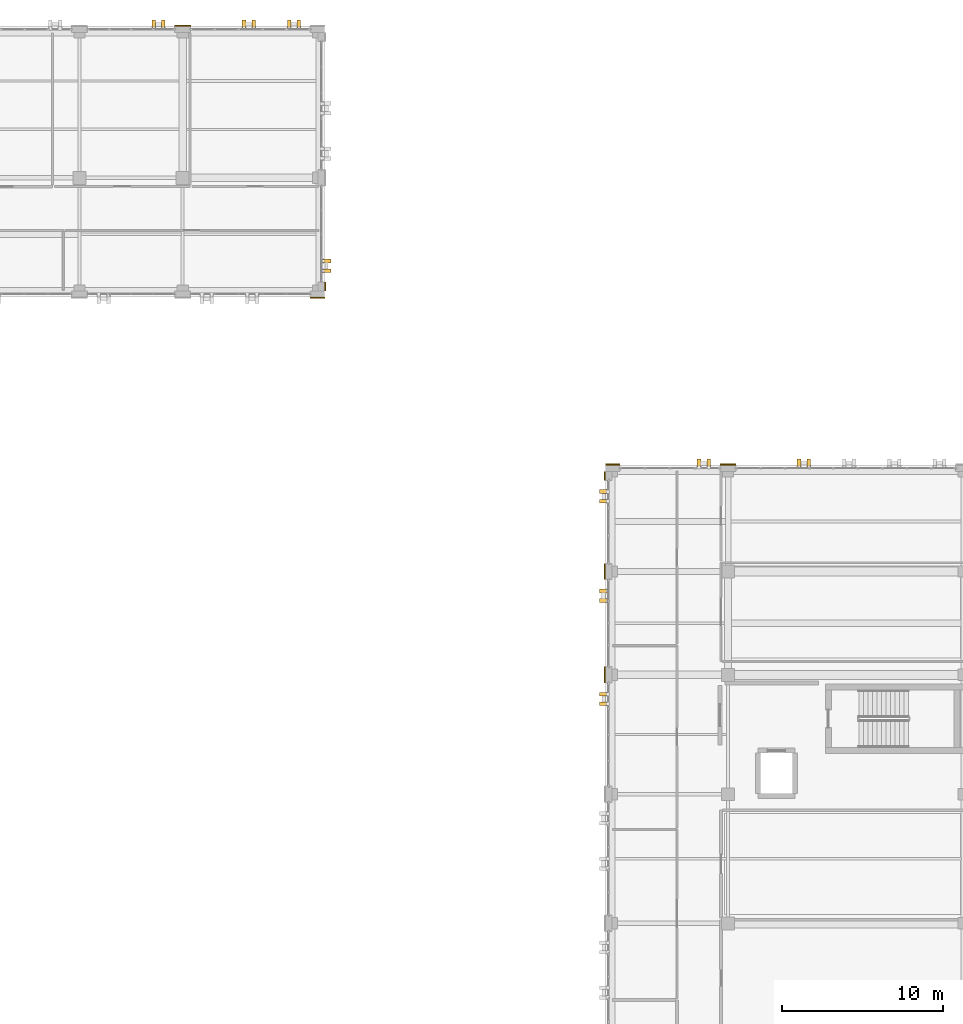
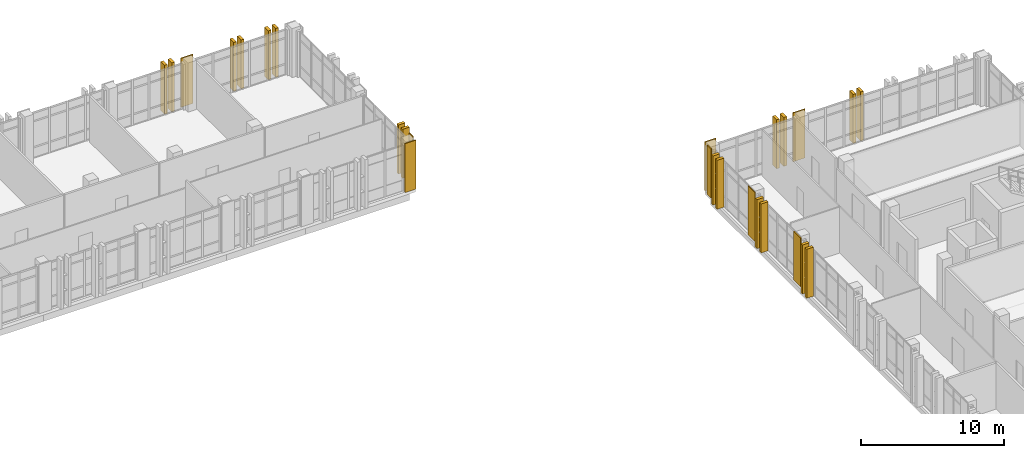
# One storey, part 152 of 158: 26 coverings.
"""IFC4 building model written with IfcOpenShell, lengths in metres."""

from ifc_helpers import new_model, si_unit, direction, frame, origin, origin_2d, place, context, subcontext, project, spatial, rectangle, extrude, material, layer, layer_set, type_object, element, save


model = new_model("IFC4")

# Units and contexts
model_context = context("Model", 3, precision=1e-05, world=origin(), true_north=direction((0.0, 1.0)))
body_context = subcontext(model_context, "Body", "Model", "MODEL_VIEW")
ifc_project = project(units=[si_unit("LENGTHUNIT", "METRE"), si_unit("AREAUNIT", "SQUARE_METRE"), si_unit("VOLUMEUNIT", "CUBIC_METRE"), si_unit("PLANEANGLEUNIT", "RADIAN"), si_unit("MASSUNIT", "GRAM", prefix="KILO")], contexts=[model_context])

# Site, building, storey
site_placement = place(None, origin())
site = spatial("IfcSite", under=ifc_project, at=site_placement, CompositionType="ELEMENT")
building_placement = place(site_placement, origin())
building = spatial("IfcBuilding", under=site, at=building_placement, Name="Qalavern Law Courts", CompositionType="ELEMENT")
storey_placement = place(building_placement, frame((0.0, 0.0, 18.60009765625)))
storey = spatial("IfcBuildingStorey", under=building, at=storey_placement, Name="L04", CompositionType="ELEMENT", Elevation=18.60009765625)

# Coverings
ifc_material = material(Name="Precast concrete C40/50", Category="concrete")
ifc_layer_1 = layer(ifc_material, 0.22998046875)
ifc_layer_set_1 = layer_set([ifc_layer_1], Name="Precast concrete C40/50")
covering_type_1 = type_object("IfcCoveringType", Name="ENV-BLD-2", PredefinedType="CLADDING", material=ifc_layer_set_1)
for number, where, z_axis, x_axis, name in (
    (1, (96.800048828125, 85.909912109375, 0.0048828125), (0.0, 0.0, 1.0), (0.0, 1.0, 0.0), "Absheron stone facade blade 0691"),
    (2, (96.199951171875, 85.909912109375, 0.0048828125), (0.0, 0.0, 1.0), (0.0, 1.0, 0.0), "Absheron stone facade blade 0692"),
    (3, (90.60009765625, 85.909912109375, 0.0048828125), (0.0, 0.0, 1.0), (0.0, 1.0, 0.0), "Absheron stone facade blade 0693"),
    (4, (90.0, 85.909912109375, 0.0048828125), (0.0, 0.0, 1.0), (0.0, 1.0, 0.0), "Absheron stone facade blade 0694"),
    (5, (84.090087890625, 84.155029296875, 0.0048828125), (0.0, 0.0, 1.0), (-1.0, 0.0, 0.0), "Absheron stone facade blade 0695"),
    (6, (84.090087890625, 83.554931640625, 0.0048828125), (0.0, 0.0, 1.0), (-1.0, 0.0, 0.0), "Absheron stone facade blade 0696"),
    (7, (84.090087890625, 78.0, 0.0048828125), (0.0, 0.0, 1.0), (-1.0, 0.0, 0.0), "Absheron stone facade blade 0697"),
    (8, (84.090087890625, 77.39990234375, 0.0048828125), (0.0, 0.0, 1.0), (-1.0, 0.0, 0.0), "Absheron stone facade blade 0698"),
    (9, (84.090087890625, 71.60009765625, 0.0048828125), (0.0, 0.0, 1.0), (-1.0, 0.0, 0.0), "Absheron stone facade blade 0699"),
    (10, (84.090087890625, 71.0, 0.0048828125), (0.0, 0.0, 1.0), (-1.0, 0.0, 0.0), "Absheron stone facade blade 0700"),
    (11, (66.909912109375, 97.844970703125, 0.0048828125), (0.0, 0.0, 1.0), (1.0, 0.0, 0.0), "Absheron stone facade blade 1085"),
    (12, (66.909912109375, 98.445068359375, 0.0048828125), (0.0, 0.0, 1.0), (1.0, 0.0, 0.0), "Absheron stone facade blade 1086"),
    (13, (65.199951171875, 113.110107421875, 0.0048828125), (0.0, 0.0, 1.0), (0.0, 1.0, 0.0), "Absheron stone facade blade 1091"),
    (14, (64.60009765625, 113.110107421875, 0.0048828125), (0.0, 0.0, 1.0), (0.0, 1.0, 0.0), "Absheron stone facade blade 1092"),
    (15, (62.39990234375, 113.110107421875, 0.0048828125), (0.0, 0.0, 1.0), (0.0, 1.0, 0.0), "Absheron stone facade blade 1093"),
    (16, (61.800048828125, 113.110107421875, 0.0048828125), (0.0, 0.0, 1.0), (0.0, 1.0, 0.0), "Absheron stone facade blade 1094"),
    (17, (56.800048828125, 113.110107421875, 0.0048828125), (0.0, 0.0, 1.0), (0.0, 1.0, 0.0), "Absheron stone facade blade 1095"),
    (18, (56.199951171875, 113.110107421875, 0.0048828125), (0.0, 0.0, 1.0), (0.0, 1.0, 0.0), "Absheron stone facade blade 1096"),
):
    element("IfcCovering", number, at=place(storey_placement, frame(where, z_axis=z_axis, x_axis=x_axis)), inside=storey, type_object=covering_type_1, Name=name, PredefinedType="CLADDING", context=body_context, shape_type="SweptSolid", body=[
        extrude(rectangle(XDim=0.5400390625, YDim=0.22998046875, at=origin_2d()), origin(), (0.0, 0.0, 1.0), 4.18994140625),
    ])
ifc_layer_2 = layer(ifc_material, 0.072021484375)
ifc_layer_set_2 = layer_set([ifc_layer_2], Name="Precast concrete C40/50")
covering_type_2 = type_object("IfcCoveringType", Name="ENV-CLD-2", PredefinedType="CLADDING", material=ifc_layer_set_2)
covering_1_placement = place(storey_placement, frame((91.800048828125, 85.8330078125, 0.009765625), z_axis=(0.0, 0.0, 1.0), x_axis=(-1.0, 0.0, 0.0)))
element("IfcCovering", 19, at=covering_1_placement, inside=storey, type_object=covering_type_2, Name="V4 Absheron limestone pier facing L04 north 2", PredefinedType="CLADDING", context=body_context, shape_type="SweptSolid", body=[
    extrude(rectangle(XDim=0.97998046875, YDim=0.072021484375, at=origin_2d()), origin(), (0.0, 0.0, 1.0), 4.179931640625),
])
covering_2_placement = place(storey_placement, frame((84.64990234375, 85.8330078125, 0.009765625), z_axis=(0.0, 0.0, 1.0), x_axis=(-1.0, 0.0, 0.0)))
element("IfcCovering", 20, at=covering_2_placement, inside=storey, type_object=covering_type_2, Name="V4 Absheron limestone pier facing L04 north 3", PredefinedType="CLADDING", context=body_context, shape_type="SweptSolid", body=[
    extrude(rectangle(XDim=0.8798828125, YDim=0.072021484375, at=origin_2d()), origin(), (0.0, 0.0, 1.0), 4.179931640625),
])
covering_3_placement = place(storey_placement, frame((84.1669921875, 85.1298828125, 0.009765625), z_axis=(0.0, 0.0, 1.0), x_axis=(0.0, -1.0, 0.0)))
element("IfcCovering", 21, at=covering_3_placement, inside=storey, type_object=covering_type_2, Name="V4 Absheron limestone pier facing L04 west 1", PredefinedType="CLADDING", context=body_context, shape_type="SweptSolid", body=[
    extrude(rectangle(XDim=0.530029296875, YDim=0.072021484375, at=origin_2d()), origin(), (0.0, 0.0, 1.0), 4.179931640625),
])
for number, where, z_axis, x_axis, name in (
    (22, (84.1669921875, 79.199951171875, 0.009765625), (0.0, 0.0, 1.0), (0.0, -1.0, 0.0), "V4 Absheron limestone pier facing L04 west 2"),
    (23, (84.1669921875, 72.800048828125, 0.009765625), (0.0, 0.0, 1.0), (0.0, -1.0, 0.0), "V4 Absheron limestone pier facing L04 west 3"),
):
    element("IfcCovering", number, at=place(storey_placement, frame(where, z_axis=z_axis, x_axis=x_axis)), inside=storey, type_object=covering_type_2, Name=name, PredefinedType="CLADDING", context=body_context, shape_type="SweptSolid", body=[
        extrude(rectangle(XDim=0.97998046875, YDim=0.072021484375, at=origin_2d()), origin(), (0.0, 0.0, 1.0), 4.179931640625),
    ])
covering_4_placement = place(storey_placement, frame((66.35009765625, 96.1669921875, 0.009765625), z_axis=(0.0, 0.0, 1.0), x_axis=(1.0, 0.0, 0.0)))
element("IfcCovering", 24, at=covering_4_placement, inside=storey, type_object=covering_type_2, Name="V5 Absheron limestone pier facing L04 south 7", PredefinedType="CLADDING", context=body_context, shape_type="SweptSolid", body=[
    extrude(rectangle(XDim=0.8798828125, YDim=0.072021484375, at=origin_2d()), origin(), (0.0, 0.0, 1.0), 4.179931640625),
])
covering_5_placement = place(storey_placement, frame((66.8330078125, 96.8701171875, 0.009765625), z_axis=(0.0, 0.0, 1.0), x_axis=(0.0, 1.0, 0.0)))
element("IfcCovering", 25, at=covering_5_placement, inside=storey, type_object=covering_type_2, Name="V5 Absheron limestone pier facing L04 east 1", PredefinedType="CLADDING", context=body_context, shape_type="SweptSolid", body=[
    extrude(rectangle(XDim=0.530029296875, YDim=0.072021484375, at=origin_2d()), origin(), (0.0, 0.0, 1.0), 4.179931640625),
])
covering_6_placement = place(storey_placement, frame((58.0, 113.032958984375, 0.009765625), z_axis=(0.0, 0.0, 1.0), x_axis=(-1.0, 0.0, 0.0)))
element("IfcCovering", 26, at=covering_6_placement, inside=storey, type_object=covering_type_2, Name="V5 Absheron limestone pier facing L04 north 2", PredefinedType="CLADDING", context=body_context, shape_type="SweptSolid", body=[
    extrude(rectangle(XDim=0.97998046875, YDim=0.072021484375, at=origin_2d()), origin(), (0.0, 0.0, 1.0), 4.179931640625),
])

save(model, "model.ifc")
